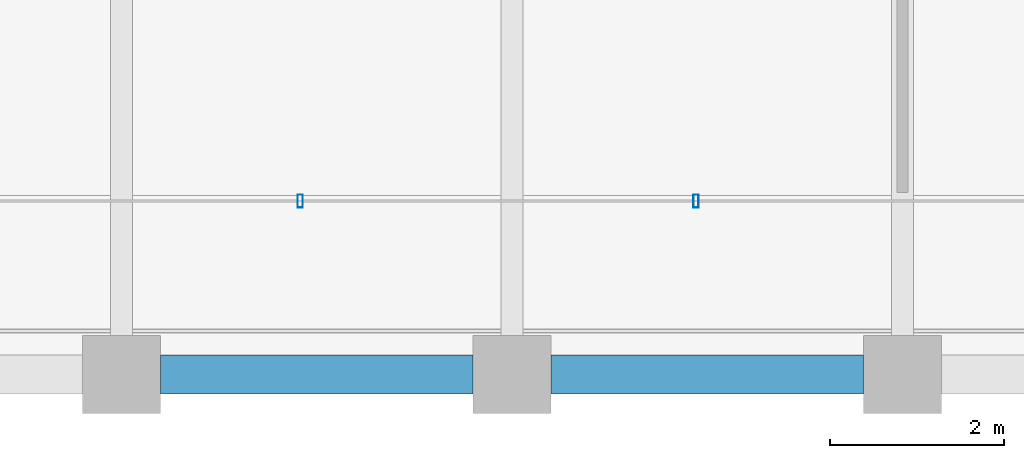
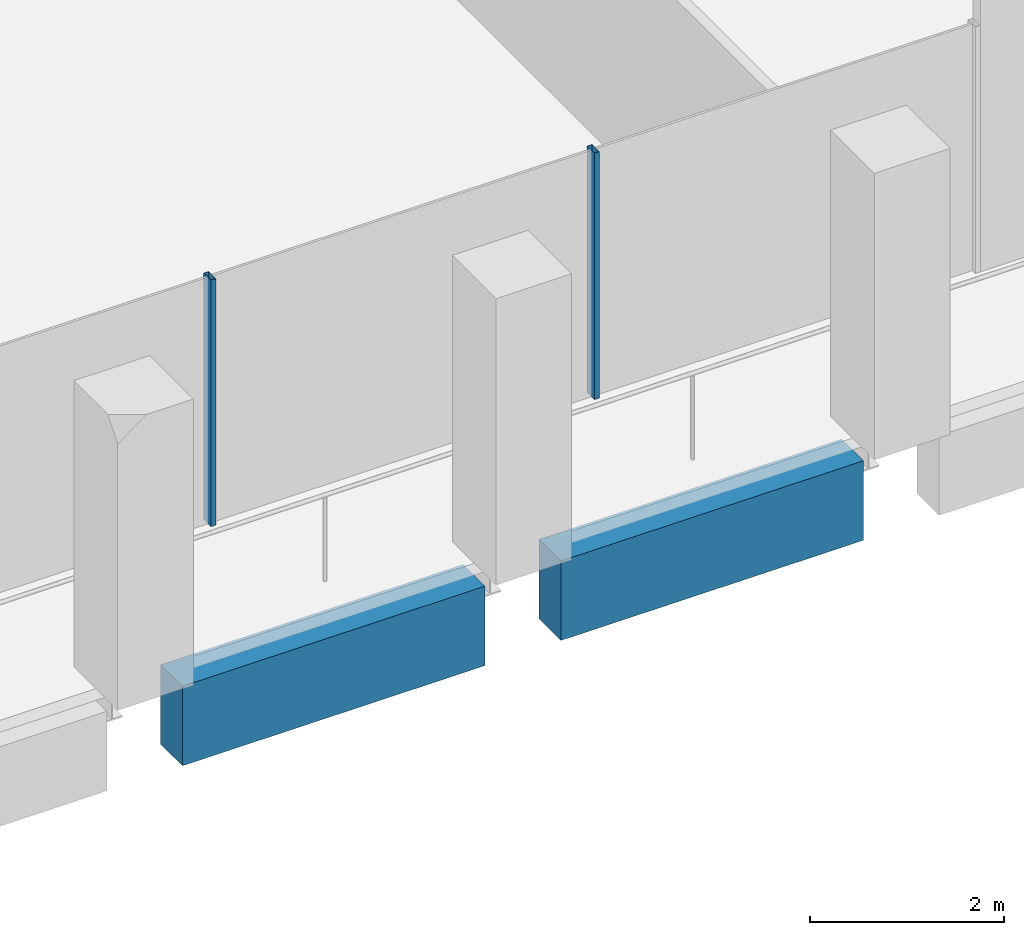
# One storey, part 3 of 40: 2 beams, 2 members, 1 element without a shape of its own.
"""IFC4 building model written with IfcOpenShell, lengths in metres."""

from ifc_helpers import new_model, si_unit, direction, frame, origin, origin_2d, place, context, subcontext, project, spatial, rectangle, hollow_rectangle, extrude, material, material_profile, profile_set, type_object, element, aggregate, save


model = new_model("IFC4")

# Units and contexts
model_context = context("Model", 3, precision=1e-05, world=origin(), true_north=direction((0.0, 1.0)))
body_context = subcontext(model_context, "Body", "Model", "MODEL_VIEW")
ifc_project = project(units=[si_unit("LENGTHUNIT", "METRE"), si_unit("AREAUNIT", "SQUARE_METRE"), si_unit("VOLUMEUNIT", "CUBIC_METRE"), si_unit("PLANEANGLEUNIT", "RADIAN"), si_unit("MASSUNIT", "GRAM", prefix="KILO")], contexts=[model_context])

# Site, building, storey
site_placement = place(None, origin())
site = spatial("IfcSite", under=ifc_project, at=site_placement, CompositionType="ELEMENT")
building_placement = place(site_placement, origin())
building = spatial("IfcBuilding", under=site, at=building_placement, Name="Altepetl Exchange Towers", CompositionType="ELEMENT")
storey_placement = place(building_placement, frame((0.0, 0.0, 179.800048828125)))
storey = spatial("IfcBuildingStorey", under=building, at=storey_placement, Name="L45", CompositionType="ELEMENT", Elevation=179.800048828125)

# Curtain wall, members
ifc_material_1 = material(Name="Aluminium 6063-T6 glazing", Category="aluminium")
curtain_wall_type = type_object("IfcCurtainWallType", Name="Loggia glazing system", PredefinedType="NOTDEFINED", material=ifc_material_1)
curtain_wall_placement = place(storey_placement, origin())
curtain_wall = element("IfcCurtainWall", 1, at=curtain_wall_placement, inside=storey, type_object=curtain_wall_type, Name="CW1 run", PredefinedType="NOTDEFINED")
ifc_material_2 = material(Name="Aluminium 6063-T6", Category="aluminium")
ifc_material_profile_1 = material_profile(ifc_material_2, hollow_rectangle(XDim=0.06005859375, YDim=0.14990234375, WallThickness=0.0029296875, at=origin_2d()), Name="Mullion 60x150 aluminium")
ifc_profile_set_1 = profile_set([ifc_material_profile_1], Name="Aluminium 6063-T6")
member_type = type_object("IfcMemberType", Name="Mullion 60x150 aluminium", PredefinedType="MULLION", material=ifc_profile_set_1)
member_1_placement = place(storey_placement, frame((38.060791015625, 29.0, 0.0)))
member_1 = element("IfcMember", 2, at=member_1_placement, type_object=member_type, Name="MU1 mullion", PredefinedType="MULLION", context=body_context, shape_type="SweptSolid", body=[
    extrude(hollow_rectangle(XDim=0.06005859375, YDim=0.14990234375, WallThickness=0.0029296875, at=origin_2d()), origin(), (0.0, 0.0, 1.0), 3.099853515625),
])
member_2_placement = place(storey_placement, frame((42.621337890625, 29.0, 0.0)))
member_2 = element("IfcMember", 3, at=member_2_placement, type_object=member_type, Name="MU1 mullion", PredefinedType="MULLION", context=body_context, shape_type="SweptSolid", body=[
    extrude(hollow_rectangle(XDim=0.06005859375, YDim=0.14990234375, WallThickness=0.0029296875, at=origin_2d()), origin(), (0.0, 0.0, 1.0), 3.099853515625),
])
aggregate(curtain_wall, [member_1, member_2])

# Beams
ifc_material_3 = material(Name="Concrete C50/60 precast with cantera blanca facing", Category="concrete")
ifc_material_profile_2 = material_profile(ifc_material_3, rectangle(XDim=0.449951171875, YDim=1.0, at=origin_2d()), Name="450 x 1000")
ifc_profile_set_2 = profile_set([ifc_material_profile_2], Name="Concrete C50/60 precast with cantera blanca facing")
beam_type = type_object("IfcBeamType", Name="Spandrel beam 450x1000 cantera blanca", PredefinedType="SPANDREL", material=ifc_profile_set_2)
for number, where, z_axis, x_axis, name in (
    (4, (36.449951171875, 27.0, -0.650146484375), (1.0, 0.0, 0.0), (0.0, 1.0, 0.0), "sp:A:L45:001"),
    (5, (40.949951171875, 27.0, -0.650146484375), (1.0, 0.0, 0.0), (0.0, 1.0, 0.0), "sp:A:L45:002"),
):
    element("IfcBeam", number, at=place(storey_placement, frame(where, z_axis=z_axis, x_axis=x_axis)), inside=storey, type_object=beam_type, Name=name, PredefinedType="SPANDREL", context=body_context, shape_type="SweptSolid", body=[
        extrude(rectangle(XDim=0.449951171875, YDim=1.0, at=origin_2d()), origin(), (0.0, 0.0, 1.0), 3.60009765625),
    ])

save(model, "model.ifc")
